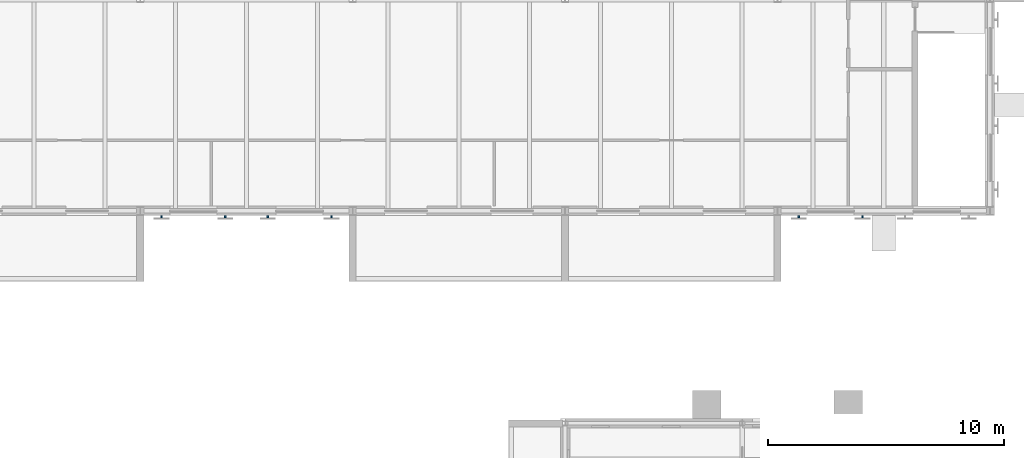
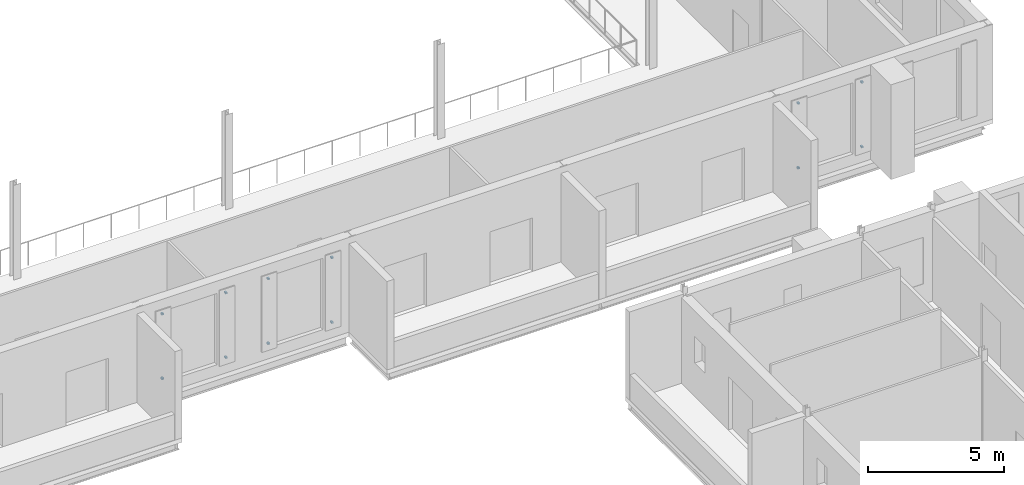
# One storey, part 105 of 131: 12 discrete accessories.
"""IFC4 building model written with IfcOpenShell, lengths in metres."""

from ifc_helpers import new_model, si_unit, direction, frame, origin, origin_2d, place, context, subcontext, project, spatial, rectangle, extrude, material, type_object, element, save


model = new_model("IFC4")

# Units and contexts
model_context = context("Model", 3, precision=1e-05, world=origin(), true_north=direction((0.0, 1.0)))
body_context = subcontext(model_context, "Body", "Model", "MODEL_VIEW")
ifc_project = project(units=[si_unit("LENGTHUNIT", "METRE"), si_unit("AREAUNIT", "SQUARE_METRE"), si_unit("VOLUMEUNIT", "CUBIC_METRE"), si_unit("PLANEANGLEUNIT", "RADIAN"), si_unit("MASSUNIT", "GRAM", prefix="KILO")], contexts=[model_context])

# Site, building, storey
site_placement = place(None, origin())
site = spatial("IfcSite", under=ifc_project, at=site_placement, CompositionType="ELEMENT")
building_placement = place(site_placement, origin())
building = spatial("IfcBuilding", under=site, at=building_placement, Name="Golden Quay Civic Hall", CompositionType="ELEMENT")
storey_placement = place(building_placement, frame((0.0, 0.0, 9.89990234375)))
storey = spatial("IfcBuildingStorey", under=building, at=storey_placement, Name="L02", CompositionType="ELEMENT", Elevation=9.89990234375)

# Discrete accessories
ifc_material = material(Name="Steel S355", Category="steel")
discrete_accessory_type = type_object("IfcDiscreteAccessoryType", Name="Steel shutter bracket", PredefinedType="BRACKET", material=ifc_material)
for number, where, z_axis, x_axis, name in (
    (1, (135.89990234375, 62.75, 0.7099609375), (0.0, 0.0, 1.0), (1.0, 0.0, 0.0), "Shutter bracket L02-S202a-1"),
    (2, (135.89990234375, 62.75, 3.610107421875), (0.0, 0.0, 1.0), (1.0, 0.0, 0.0), "Shutter bracket L02-S202a-2"),
    (3, (138.60009765625, 62.75, 0.7099609375), (0.0, 0.0, 1.0), (1.0, 0.0, 0.0), "Shutter bracket L02-S202b-1"),
    (4, (138.60009765625, 62.75, 3.610107421875), (0.0, 0.0, 1.0), (1.0, 0.0, 0.0), "Shutter bracket L02-S202b-2"),
    (5, (140.39990234375, 62.75, 0.7099609375), (0.0, 0.0, 1.0), (1.0, 0.0, 0.0), "Shutter bracket L02-S247a-1"),
    (6, (140.39990234375, 62.75, 3.610107421875), (0.0, 0.0, 1.0), (1.0, 0.0, 0.0), "Shutter bracket L02-S247a-2"),
    (7, (143.10009765625, 62.75, 0.7099609375), (0.0, 0.0, 1.0), (1.0, 0.0, 0.0), "Shutter bracket L02-S247b-1"),
    (8, (143.10009765625, 62.75, 3.610107421875), (0.0, 0.0, 1.0), (1.0, 0.0, 0.0), "Shutter bracket L02-S247b-2"),
    (9, (162.89990234375, 62.75, 0.7099609375), (0.0, 0.0, 1.0), (1.0, 0.0, 0.0), "Shutter bracket L02-S472a-1"),
    (10, (162.89990234375, 62.75, 3.610107421875), (0.0, 0.0, 1.0), (1.0, 0.0, 0.0), "Shutter bracket L02-S472a-2"),
    (11, (165.60009765625, 62.75, 0.7099609375), (0.0, 0.0, 1.0), (1.0, 0.0, 0.0), "Shutter bracket L02-S472b-1"),
    (12, (165.60009765625, 62.75, 3.610107421875), (0.0, 0.0, 1.0), (1.0, 0.0, 0.0), "Shutter bracket L02-S472b-2"),
):
    element("IfcDiscreteAccessory", number, at=place(storey_placement, frame(where, z_axis=z_axis, x_axis=x_axis)), inside=storey, type_object=discrete_accessory_type, Name=name, PredefinedType="BRACKET", context=body_context, shape_type="SweptSolid", body=[
        extrude(rectangle(XDim=0.080078125, YDim=0.10009765625, at=origin_2d()), origin(), (0.0, 0.0, 1.0), 0.080078125),
    ])

save(model, "model.ifc")
